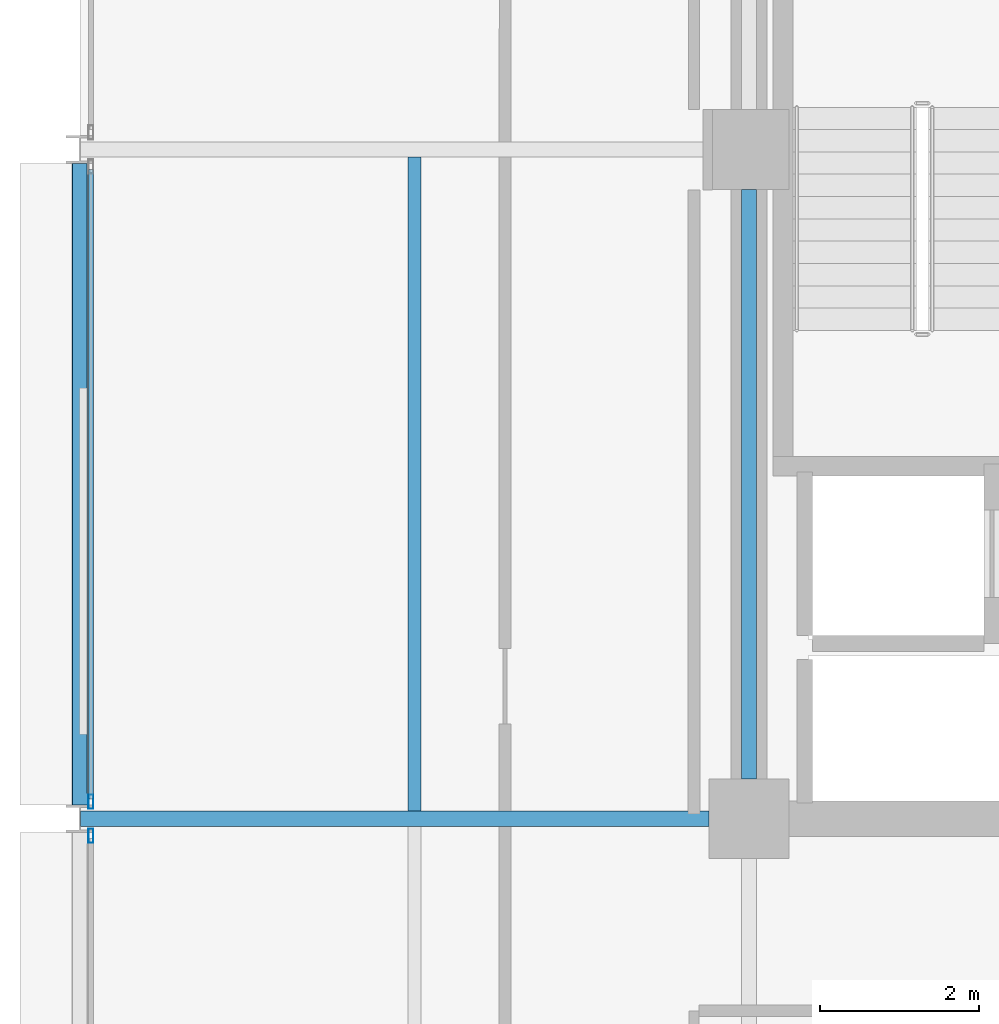
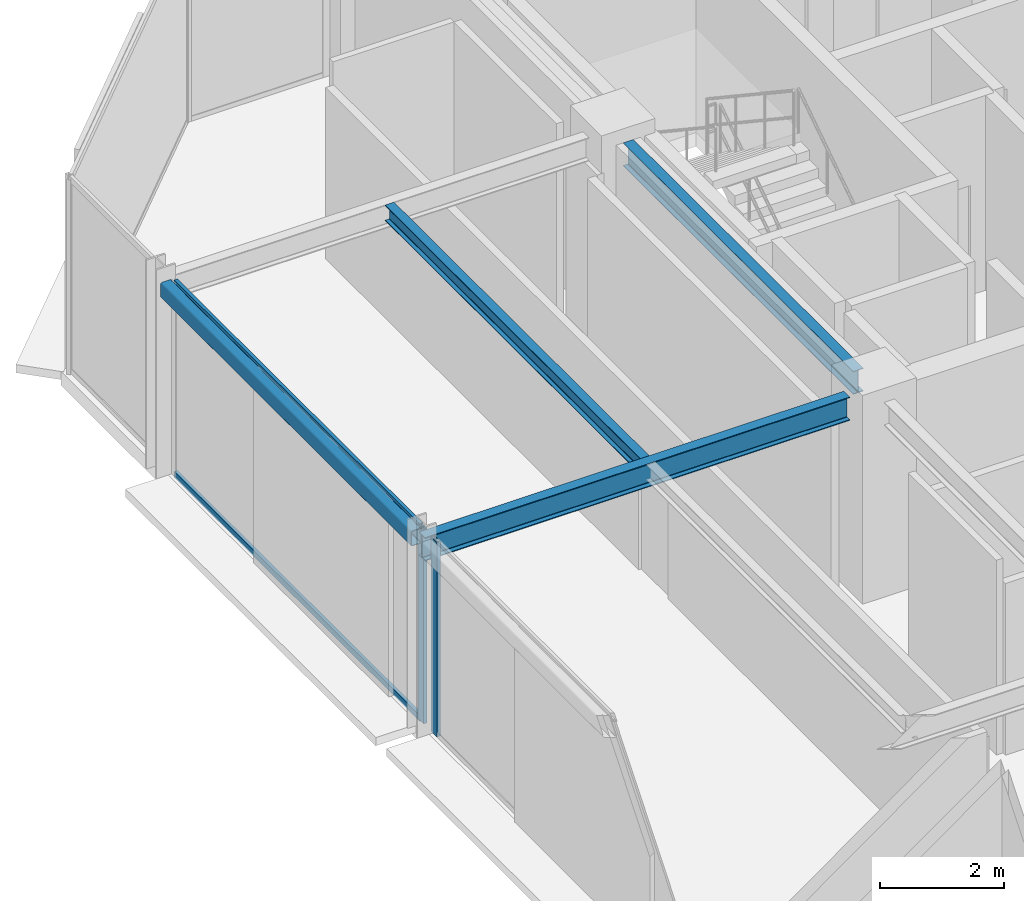
# One storey, part 10 of 26: 4 beams, 4 members, 2 elements without a shape of their own.
"""IFC4 building model written with IfcOpenShell, lengths in metres."""

from ifc_helpers import new_model, si_unit, direction, frame, origin, origin_2d, place, context, subcontext, project, spatial, hollow_rectangle, i_section, extrude, material, layer, layer_set, material_profile, profile_set, type_object, element, aggregate, save


model = new_model("IFC4")

# Units and contexts
model_context = context("Model", 3, precision=1e-05, world=origin(), true_north=direction((0.0, 1.0)))
body_context = subcontext(model_context, "Body", "Model", "MODEL_VIEW")
ifc_project = project(units=[si_unit("LENGTHUNIT", "METRE"), si_unit("AREAUNIT", "SQUARE_METRE"), si_unit("VOLUMEUNIT", "CUBIC_METRE"), si_unit("PLANEANGLEUNIT", "RADIAN"), si_unit("MASSUNIT", "GRAM", prefix="KILO")], contexts=[model_context])

# Site, building, storey
site_placement = place(None, origin())
site = spatial("IfcSite", under=ifc_project, at=site_placement, CompositionType="ELEMENT")
building_placement = place(site_placement, origin())
building = spatial("IfcBuilding", under=site, at=building_placement, Name="Nerrivon Quay Data Exchange", CompositionType="ELEMENT")
storey_placement = place(building_placement, frame((0.0, 0.0, 228.800048828125)))
storey = spatial("IfcBuildingStorey", under=building, at=storey_placement, Name="L54", CompositionType="ELEMENT", Elevation=228.800048828125)

# Beams
ifc_material_1 = material(Name="Steel Grade 350", Category="steel")
ifc_material_profile_1 = material_profile(ifc_material_1, i_section(OverallWidth=0.19091796875, OverallDepth=0.4599609375, WebThickness=0.010009765625, FlangeThickness=0.01611328125, FilletRadius=0.011474609375, at=origin_2d()), Name="460UB82.1")
ifc_profile_set_1 = profile_set([ifc_material_profile_1], Name="Steel Grade 350")
beam_type_1 = type_object("IfcBeamType", Name="BM-G5-460UB82", PredefinedType="BEAM", material=ifc_profile_set_1)
beam_1_placement = place(storey_placement, frame((0.010009765625, 25.199951171875, 3.594970703125), z_axis=(1.0, 0.0, 0.0), x_axis=(0.0, 1.0, 0.0)))
element("IfcBeam", 1, at=beam_1_placement, inside=storey, type_object=beam_type_1, Name="L54 EW Girder Y=25.2 (0.0..8.4)", PredefinedType="BEAM", context=body_context, shape_type="SweptSolid", body=[
    extrude(i_section(OverallWidth=0.19091796875, OverallDepth=0.4599609375, WebThickness=0.010009765625, FlangeThickness=0.01611328125, FilletRadius=0.011474609375, at=origin_2d()), origin(), (0.0, 0.0, 1.0), 7.889892578125),
])
ifc_material_profile_2 = material_profile(ifc_material_1, i_section(OverallWidth=0.18994140625, OverallDepth=0.4541015625, WebThickness=0.008544921875, FlangeThickness=0.0126953125, FilletRadius=0.011474609375, at=origin_2d()), Name="460UB67.1")
ifc_profile_set_2 = profile_set([ifc_material_profile_2], Name="Steel Grade 350")
beam_type_2 = type_object("IfcBeamType", Name="BM-G6-460UB67", PredefinedType="BEAM", material=ifc_profile_set_2)
beam_2_placement = place(storey_placement, frame((8.39990234375, 25.699951171875, 3.597900390625), z_axis=(0.0, 1.0, 0.0), x_axis=(-1.0, 0.0, 0.0)))
element("IfcBeam", 2, at=beam_2_placement, inside=storey, type_object=beam_type_2, Name="L54 NS Girder X=8.4 (25.2..33.6)", PredefinedType="BEAM", context=body_context, shape_type="SweptSolid", body=[
    extrude(i_section(OverallWidth=0.18994140625, OverallDepth=0.4541015625, WebThickness=0.008544921875, FlangeThickness=0.0126953125, FilletRadius=0.011474609375, at=origin_2d()), origin(), (0.0, 0.0, 1.0), 7.400146484375),
])
ifc_material_profile_3 = material_profile(ifc_material_1, i_section(OverallWidth=0.166015625, OverallDepth=0.306884765625, WebThickness=0.006591796875, FlangeThickness=0.01171875, FilletRadius=0.011474609375, at=origin_2d()), Name="310UB46.2")
ifc_profile_set_3 = profile_set([ifc_material_profile_3], Name="Steel Grade 350")
beam_type_3 = type_object("IfcBeamType", Name="BM-J5-310UB46", PredefinedType="JOIST", material=ifc_profile_set_3)
beam_3_placement = place(storey_placement, frame((4.199951171875, 25.29541015625, 3.67138671875), z_axis=(0.0, 1.0, 0.0), x_axis=(-1.0, 0.0, 0.0)))
element("IfcBeam", 3, at=beam_3_placement, inside=storey, type_object=beam_type_3, Name="L54 Secondary Joist X=4.2 (25.2..33.6)", PredefinedType="JOIST", context=body_context, shape_type="SweptSolid", body=[
    extrude(i_section(OverallWidth=0.166015625, OverallDepth=0.306884765625, WebThickness=0.006591796875, FlangeThickness=0.01171875, FilletRadius=0.011474609375, at=origin_2d()), origin(), (0.0, 0.0, 1.0), 8.208984375),
])
ifc_material_2 = material(Name="Steel Grade C350L0 (350 MPa)", Category="steel")
ifc_material_profile_4 = material_profile(ifc_material_2, hollow_rectangle(XDim=0.199951171875, YDim=0.300048828125, WallThickness=0.012451171875, InnerFilletRadius=0.018798828125, OuterFilletRadius=0.03125, at=origin_2d()), Name="300x200x12.5RHS")
ifc_profile_set_4 = profile_set([ifc_material_profile_4], Name="Steel Grade C350L0 (350 MPa)")
beam_type_4 = type_object("IfcBeamType", Name="BM-SP3-300x200RHS", PredefinedType="SPANDREL", material=ifc_profile_set_4)
beam_4_placement = place(storey_placement, frame((0.0, 25.375, 3.675048828125), z_axis=(0.0, 1.0, 0.0), x_axis=(-1.0, 0.0, 0.0)))
element("IfcBeam", 4, at=beam_4_placement, inside=storey, type_object=beam_type_4, Name="L54 NS Girder X=0.0 (25.2..33.6)", PredefinedType="SPANDREL", context=body_context, shape_type="SweptSolid", body=[
    extrude(hollow_rectangle(XDim=0.199951171875, YDim=0.300048828125, WallThickness=0.012451171875, InnerFilletRadius=0.018798828125, OuterFilletRadius=0.03125, at=origin_2d()), origin(), (0.0, 0.0, 1.0), 8.050048828125),
])

# Curtain wall, member
ifc_material_3 = material(Name="Anodised aluminium 6063-T6", Category="aluminium")
ifc_layer = layer(ifc_material_3, 0.195068359375)
ifc_layer_set = layer_set([ifc_layer], Name="Anodised aluminium 6063-T6")
curtain_wall_type = type_object("IfcCurtainWallType", Name="CW-SYS-06", PredefinedType="NOTDEFINED", material=ifc_layer_set)
curtain_wall_1_placement = place(storey_placement, origin())
curtain_wall_1 = element("IfcCurtainWall", 5, at=curtain_wall_1_placement, inside=storey, type_object=curtain_wall_type, Name="L54 Unitised Curtain Wall 13", PredefinedType="NOTDEFINED")
ifc_material_profile_5 = material_profile(ifc_material_3, hollow_rectangle(XDim=0.06494140625, YDim=0.179931640625, WallThickness=0.00341796875, at=origin_2d()), Name="ALU-MULL-180x65")
ifc_profile_set_5 = profile_set([ifc_material_profile_5], Name="Anodised aluminium 6063-T6")
member_type_1 = type_object("IfcMemberType", Name="CWM-180x65", PredefinedType="MULLION", material=ifc_profile_set_5)
member_1_placement = place(storey_placement, frame((0.139892578125, 24.987548828125, 0.0), z_axis=(0.0, 0.0, 1.0), x_axis=(-1.0, 0.0, 0.0)))
member_1 = element("IfcMember", 6, at=member_1_placement, type_object=member_type_1, Name="CW06 mullion 2", PredefinedType="MULLION", context=body_context, shape_type="SweptSolid", body=[
    extrude(hollow_rectangle(XDim=0.06494140625, YDim=0.179931640625, WallThickness=0.00341796875, at=origin_2d()), origin(), (0.0, 0.0, 1.0), 3.824951171875),
])
aggregate(curtain_wall_1, [member_1])

# Curtain wall, members
curtain_wall_2_placement = place(storey_placement, origin())
curtain_wall_2 = element("IfcCurtainWall", 7, at=curtain_wall_2_placement, inside=storey, type_object=curtain_wall_type, Name="L54 Unitised Curtain Wall 14", PredefinedType="NOTDEFINED")
member_2_placement = place(storey_placement, frame((0.139892578125, 25.41259765625, 0.0), z_axis=(0.0, 0.0, 1.0), x_axis=(-1.0, 0.0, 0.0)))
member_2 = element("IfcMember", 8, at=member_2_placement, type_object=member_type_1, Name="CW06 mullion 1", PredefinedType="MULLION", context=body_context, shape_type="SweptSolid", body=[
    extrude(hollow_rectangle(XDim=0.06494140625, YDim=0.179931640625, WallThickness=0.00341796875, at=origin_2d()), origin(), (0.0, 0.0, 1.0), 3.824951171875),
])
ifc_material_profile_6 = material_profile(ifc_material_3, hollow_rectangle(XDim=0.06005859375, YDim=0.1201171875, WallThickness=0.003173828125, at=origin_2d()), Name="ALU-TRAN-120x60")
ifc_profile_set_6 = profile_set([ifc_material_profile_6], Name="Anodised aluminium 6063-T6")
member_type_2 = type_object("IfcMemberType", Name="CWT-120x60", PredefinedType="USERDEFINED", material=ifc_profile_set_6)
member_3_placement = place(storey_placement, frame((0.139892578125, 25.449951171875, 0.032470703125), z_axis=(0.0, 1.0, 0.0), x_axis=(-1.0, 0.0, 0.0)))
member_3 = element("IfcMember", 9, at=member_3_placement, type_object=member_type_2, Name="CW06 transom 1.1", ObjectType="TRANSOM", PredefinedType="USERDEFINED", context=body_context, shape_type="SweptSolid", body=[
    extrude(hollow_rectangle(XDim=0.06005859375, YDim=0.1201171875, WallThickness=0.003173828125, at=origin_2d()), origin(), (0.0, 0.0, 1.0), 7.900146484375),
])
member_4_placement = place(storey_placement, frame((0.139892578125, 25.449951171875, 3.79248046875), z_axis=(0.0, 1.0, 0.0), x_axis=(-1.0, 0.0, 0.0)))
member_4 = element("IfcMember", 10, at=member_4_placement, type_object=member_type_2, Name="CW06 transom 1.2", ObjectType="TRANSOM", PredefinedType="USERDEFINED", context=body_context, shape_type="SweptSolid", body=[
    extrude(hollow_rectangle(XDim=0.06005859375, YDim=0.1201171875, WallThickness=0.003173828125, at=origin_2d()), origin(), (0.0, 0.0, 1.0), 7.900146484375),
])
aggregate(curtain_wall_2, [member_2, member_3, member_4])

save(model, "model.ifc")
